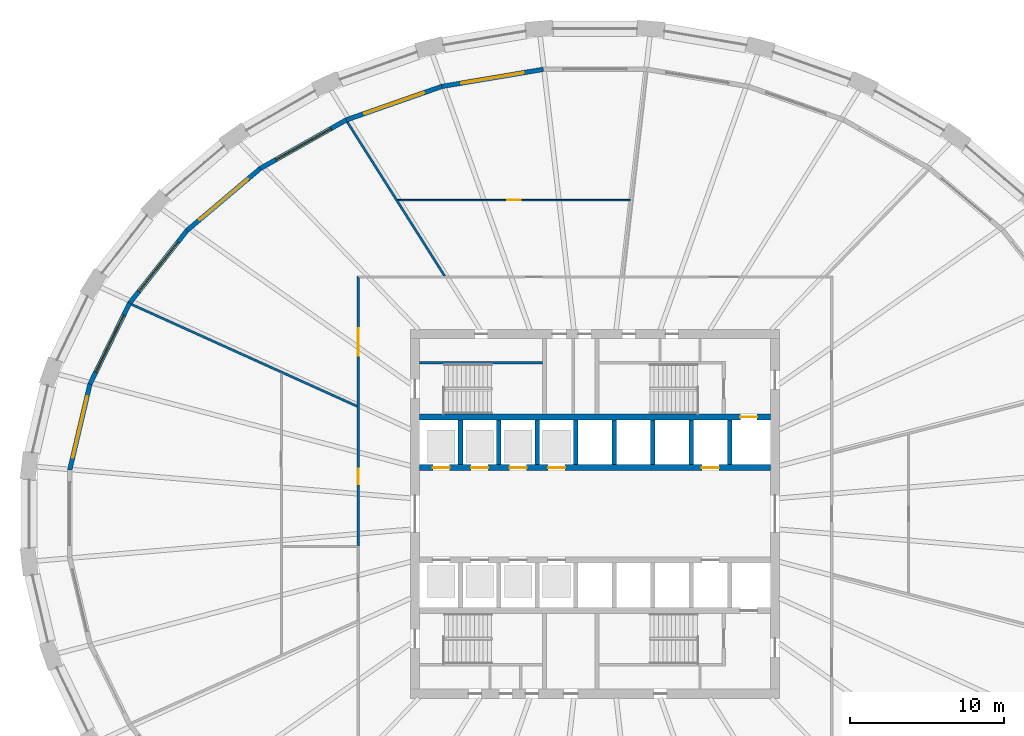
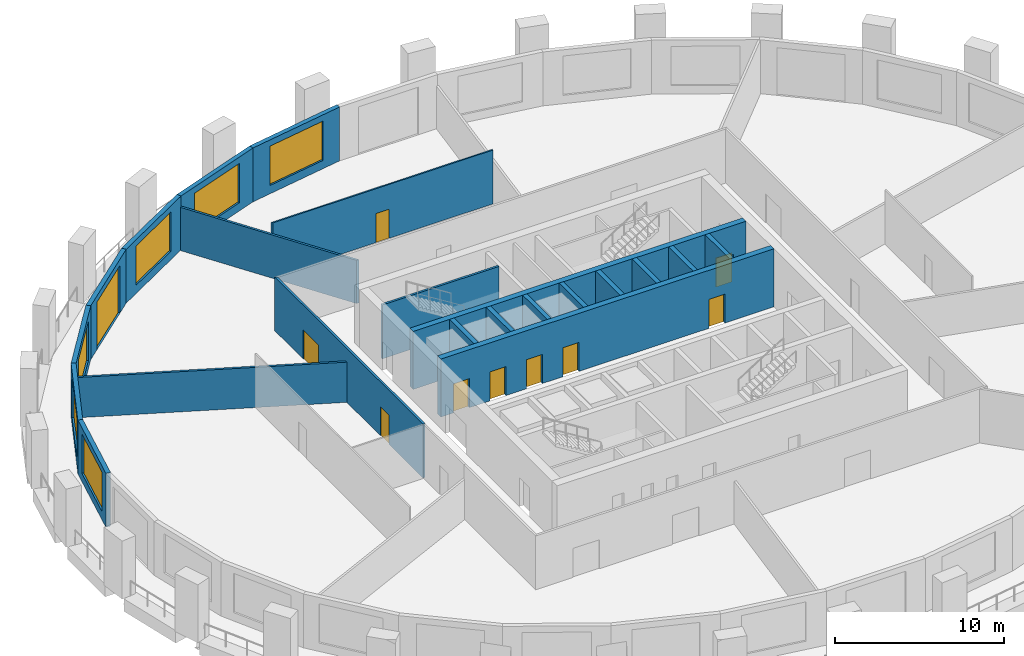
# One storey, part 5 of 10: 22 walls, 10 doors, 6 windows, 16 openings.
"""IFC4 building model written with IfcOpenShell, lengths in metres."""

from ifc_helpers import new_model, si_unit, direction, frame, frame_2d, origin, place, context, subcontext, project, spatial, polyline, rectangle, outline, extrude, material, layer, layer_set, type_object, element, fill, save


model = new_model("IFC4")

# Units and contexts
model_context = context("Model", 3, precision=1e-05, world=origin(), true_north=direction((0.0, 1.0)))
body_context = subcontext(model_context, "Body", "Model", "MODEL_VIEW")
ifc_project = project(units=[si_unit("LENGTHUNIT", "METRE"), si_unit("AREAUNIT", "SQUARE_METRE"), si_unit("VOLUMEUNIT", "CUBIC_METRE"), si_unit("PLANEANGLEUNIT", "RADIAN"), si_unit("MASSUNIT", "GRAM", prefix="KILO")], contexts=[model_context])

# Site, building, storey
site_placement = place(None, origin())
site = spatial("IfcSite", under=ifc_project, at=site_placement, CompositionType="ELEMENT")
building_placement = place(site_placement, origin())
building = spatial("IfcBuilding", under=site, at=building_placement, Name="Halqa Exchange Tower", CompositionType="ELEMENT")
storey_placement = place(building_placement, frame((0.0, 0.0, 65.5)))
storey = spatial("IfcBuildingStorey", under=building, at=storey_placement, Name="L14", CompositionType="ELEMENT", Elevation=65.5)

# Walls
ifc_material_1 = material(Name="Fire-rated gypsum board")
ifc_layer_1 = layer(ifc_material_1, 0.14990234375)
ifc_layer_set_1 = layer_set([ifc_layer_1], Name="Fire-rated gypsum board")
wall_type_1 = type_object("IfcWallType", Name="Fire partition EI 60 150", PredefinedType="PARTITIONING", material=ifc_layer_set_1)
wall_1_placement = place(storey_placement, frame((-30.14111328125, 13.61865234375, 0.0), z_axis=(0.0, 0.0, 1.0), x_axis=(0.911340188741, -0.411654054257, 0.0)))
element("IfcWall", 1, at=wall_1_placement, inside=storey, type_object=wall_type_1, Name="L14-PWL-002", PredefinedType="PARTITIONING", context=body_context, shape_type="SweptSolid", body=[
    extrude(outline(polyline([(0.0, -0.074951171875), (1.795654296875, -0.074951171875), (3.591552734375, -0.074951171875), (5.38720703125, -0.074951171875), (7.182861328125, -0.074951171875), (8.978759765625, -0.074951171875), (10.7744140625, -0.074951171875), (10.777099609375, -0.07373046875), (10.777587890625, -0.074951171875), (12.560546875, -0.074951171875), (14.34375, -0.074951171875), (16.126708984375, -0.074951171875), (16.126708984375, -0.074951171875), (16.05908203125, 0.074951171875), (14.27685546875, 0.074951171875), (12.494873046875, 0.074951171875), (10.712890625, 0.074951171875), (8.9306640625, 0.074951171875), (7.148681640625, 0.074951171875), (5.366455078125, 0.074951171875), (3.58447265625, 0.074951171875), (1.802490234375, 0.074951171875), (0.020263671875, 0.074951171875), (0.001953125, 0.001953125), (0.0, -0.06396484375), (0.0, -0.074951171875)])), origin(), (0.0, 0.0, 1.0), 2.909912109375),
])
wall_2_placement = place(storey_placement, frame((-16.11328125, 25.48193359375, 0.0), z_axis=(0.0, 0.0, 1.0), x_axis=(0.534334526362, -0.845273100209, 0.0)))
element("IfcWall", 2, at=wall_2_placement, inside=storey, type_object=wall_type_1, Name="L14-PWL-005", PredefinedType="PARTITIONING", context=body_context, shape_type="SweptSolid", body=[
    extrude(outline(polyline([(0.0, -0.074951171875), (1.96533203125, -0.074951171875), (3.930419921875, -0.074951171875), (5.895751953125, -0.074951171875), (7.86083984375, -0.074951171875), (9.826171875, -0.074951171875), (11.791259765625, -0.074951171875), (11.885986328125, 0.07470703125), (11.885986328125, 0.074951171875), (9.963623046875, 0.074951171875), (8.041015625, 0.074951171875), (6.11865234375, 0.074951171875), (6.11767578125, 0.0732421875), (6.114990234375, 0.074951171875), (4.59130859375, 0.074951171875), (3.067626953125, 0.074951171875), (1.5439453125, 0.074951171875), (0.020263671875, 0.074951171875), (0.00341796875, 0.00244140625), (0.0, -0.068603515625), (0.0, -0.074951171875)])), origin(), (0.0, 0.0, 1.0), 3.1298828125),
])

# Wall, openings, doors
wall_3_placement = place(storey_placement, frame((-15.39990234375, -2.1201171875, 0.0), z_axis=(0.0, 0.0, 1.0), x_axis=(0.0, 1.0, 0.0)))
wall_3 = element("IfcWall", 3, at=wall_3_placement, inside=storey, type_object=wall_type_1, Name="L14-PWL-009", PredefinedType="PARTITIONING", context=body_context, shape_type="SweptSolid", body=[
    extrude(outline(polyline([(0.0, -0.074951171875), (1.938232421875, -0.074951171875), (3.876708984375, -0.074951171875), (5.81494140625, -0.074951171875), (7.75341796875, -0.074951171875), (9.691650390625, -0.074951171875), (11.630126953125, -0.074951171875), (13.568359375, -0.074951171875), (15.5068359375, -0.074951171875), (17.445068359375, -0.074951171875), (17.594970703125, 0.074951171875), (15.639892578125, 0.074951171875), (13.68505859375, 0.074951171875), (11.72998046875, 0.074951171875), (9.77490234375, 0.074951171875), (7.820068359375, 0.074951171875), (5.864990234375, 0.074951171875), (3.909912109375, 0.074951171875), (1.955078125, 0.074951171875), (0.0, 0.074951171875), (0.0, -0.074951171875)])), origin(), (0.0, 0.0, 1.0), 3.89990234375),
])
opening_1_placement = place(wall_3_placement, frame((12.39990234375, 0.0, 0.0)))
opening_1 = element("IfcOpeningElement", 4, at=opening_1_placement, cuts=wall_3, Name="Opening 04-06", PredefinedType="OPENING", context=body_context, shape_type="SweptSolid", body=[
    extrude(rectangle(XDim=1.800048828125, YDim=2.10009765625, at=frame_2d((0.89990234375, 1.050048828125))), frame((0.0, 0.0869140625, 0.0), z_axis=(0.0, -1.0, 0.0), x_axis=(1.0, 0.0, 0.0)), (0.0, 0.0, 1.0), 0.173828125),
])
opening_2_placement = place(wall_3_placement, frame((4.0400390625, 0.0, 0.0)))
opening_2 = element("IfcOpeningElement", 5, at=opening_2_placement, cuts=wall_3, Name="Opening 04-08", PredefinedType="OPENING", context=body_context, shape_type="SweptSolid", body=[
    extrude(rectangle(XDim=1.0, YDim=2.10009765625, at=frame_2d((0.5, 1.050048828125))), frame((0.0, 0.0869140625, 0.0), z_axis=(0.0, -1.0, 0.0), x_axis=(1.0, 0.0, 0.0)), (0.0, 0.0, 1.0), 0.173828125),
])
ifc_material_2 = material(Name="Steel fire door leaf", Category="steel")
door_type_1 = type_object("IfcDoorType", Name="Fire door FD30S 1000 x 2100", OperationType="SINGLE_SWING_LEFT", PredefinedType="DOOR", material=ifc_material_2)
door_1_placement = place(opening_2_placement, origin())
door_1 = element("IfcDoor", 6, at=door_1_placement, inside=storey, type_object=door_type_1, Name="L14-IDR-008", OperationType="SINGLE_SWING_LEFT", OverallHeight=2.10009765625, OverallWidth=1.0, PredefinedType="DOOR", context=body_context, shape_type="SweptSolid", body=[
    extrude(rectangle(XDim=1.0, YDim=2.10009765625, at=frame_2d((0.5, 1.050048828125))), frame((0.0, 0.02490234375, 0.0), z_axis=(0.0, -1.0, 0.0), x_axis=(1.0, 0.0, 0.0)), (0.0, 0.0, 1.0), 0.050048828125),
])
fill(opening_2, door_1)
door_type_2 = type_object("IfcDoorType", Name="Fire door FD30S double 1800 x 2100", OperationType="DOUBLE_DOOR_SINGLE_SWING", PredefinedType="DOOR", material=ifc_material_2)
door_2_placement = place(opening_1_placement, origin())
door_2 = element("IfcDoor", 7, at=door_2_placement, inside=storey, type_object=door_type_2, Name="L14-IDR-006", OperationType="DOUBLE_DOOR_SINGLE_SWING", OverallHeight=2.10009765625, OverallWidth=1.800048828125, PredefinedType="DOOR", context=body_context, shape_type="SweptSolid", body=[
    extrude(rectangle(XDim=1.800048828125, YDim=2.10009765625, at=frame_2d((0.89990234375, 1.050048828125))), frame((0.0, 0.02490234375, 0.0), z_axis=(0.0, -1.0, 0.0), x_axis=(1.0, 0.0, 0.0)), (0.0, 0.0, 1.0), 0.050048828125),
])
fill(opening_1, door_2)

# Wall, opening, door
ifc_material_3 = material(Name="Gypsum board")
ifc_layer_2 = layer(ifc_material_3, 0.10009765625)
ifc_layer_set_2 = layer_set([ifc_layer_2], Name="Gypsum board")
wall_type_2 = type_object("IfcWallType", Name="Partition 100 gypsum", PredefinedType="PARTITIONING", material=ifc_layer_set_2)
wall_4_placement = place(storey_placement, frame((-12.843017578125, 20.39990234375, 0.0), z_axis=(0.0, 0.0, 1.0), x_axis=(1.0, 0.0, 0.0)))
wall_4 = element("IfcWall", 8, at=wall_4_placement, inside=storey, type_object=wall_type_2, Name="L14-PWL-011", PredefinedType="PARTITIONING", context=body_context, shape_type="SweptSolid", body=[
    extrude(outline(polyline([(0.062744140625, -0.050048828125), (1.946533203125, -0.050048828125), (3.83056640625, -0.050048828125), (5.71435546875, -0.050048828125), (7.598388671875, -0.050048828125), (9.482177734375, -0.050048828125), (11.3662109375, -0.050048828125), (13.25, -0.050048828125), (15.134033203125, -0.050048828125), (15.1455078125, 0.048583984375), (15.1455078125, 0.050048828125), (13.25244140625, 0.050048828125), (11.359130859375, 0.050048828125), (9.4658203125, 0.050048828125), (7.57275390625, 0.050048828125), (5.6796875, 0.050048828125), (3.786376953125, 0.050048828125), (1.89306640625, 0.050048828125), (0.0, 0.050048828125), (0.0, 0.04931640625), (0.062744140625, -0.050048828125)])), origin(), (0.0, 0.0, 1.0), 3.89990234375),
])
opening_3_placement = place(wall_4_placement, frame((7.1279296875, 0.0, 0.0)))
opening_3 = element("IfcOpeningElement", 9, at=opening_3_placement, cuts=wall_4, Name="Opening 04-13", PredefinedType="OPENING", context=body_context, shape_type="SweptSolid", body=[
    extrude(rectangle(XDim=0.89990234375, YDim=2.10009765625, at=frame_2d((0.449951171875, 1.050048828125))), frame((0.0, 0.06201171875, 0.0), z_axis=(0.0, -1.0, 0.0), x_axis=(1.0, 0.0, 0.0)), (0.0, 0.0, 1.0), 0.1240234375),
])
ifc_material_4 = material(Name="Timber door leaf", Category="wood")
door_type_3 = type_object("IfcDoorType", Name="Door 900 x 2100", OperationType="SINGLE_SWING_LEFT", PredefinedType="DOOR", material=ifc_material_4)
door_3_placement = place(opening_3_placement, frame((0.89990234375, 0.0, 0.0), z_axis=(0.0, 0.0, 1.0), x_axis=(-1.0, 0.0, 0.0)))
door_3 = element("IfcDoor", 10, at=door_3_placement, inside=storey, type_object=door_type_3, Name="L14-IDR-013", OperationType="SINGLE_SWING_LEFT", OverallHeight=2.10009765625, OverallWidth=0.89990234375, PredefinedType="DOOR", context=body_context, shape_type="SweptSolid", body=[
    extrude(rectangle(XDim=0.89990234375, YDim=2.10009765625, at=frame_2d((0.449951171875, 1.050048828125))), frame((0.0, 0.02490234375, 0.0), z_axis=(0.0, -1.0, 0.0), x_axis=(1.0, 0.0, 0.0)), (0.0, 0.0, 1.0), 0.050048828125),
])
fill(opening_3, door_3)

# Walls
ifc_material_5 = material(Name="Concrete C60/75", Category="concrete")
ifc_layer_3 = layer(ifc_material_5, 0.300048828125)
ifc_layer_set_3 = layer_set([ifc_layer_3], Name="Concrete C60/75")
wall_type_3 = type_object("IfcWallType", Name="RC core wall 300", PredefinedType="SHEAR", material=ifc_layer_set_3)
for number, where, z_axis, x_axis, name in (
    (11, (-8.75, 3.199951171875, 0.0), (0.0, 0.0, 1.0), (0.0, 1.0, 0.0), "Shaft divider N1"),
    (12, (-6.25, 3.199951171875, 0.0), (0.0, 0.0, 1.0), (0.0, 1.0, 0.0), "Shaft divider N2"),
    (13, (-3.75, 3.199951171875, 0.0), (0.0, 0.0, 1.0), (0.0, 1.0, 0.0), "Shaft divider N3"),
    (14, (-1.25, 3.199951171875, 0.0), (0.0, 0.0, 1.0), (0.0, 1.0, 0.0), "Shaft divider N4"),
    (15, (1.25, 3.199951171875, 0.0), (0.0, 0.0, 1.0), (0.0, 1.0, 0.0), "Shaft divider N5"),
    (16, (3.75, 3.199951171875, 0.0), (0.0, 0.0, 1.0), (0.0, 1.0, 0.0), "Shaft divider N6"),
    (17, (6.25, 3.199951171875, 0.0), (0.0, 0.0, 1.0), (0.0, 1.0, 0.0), "Shaft divider N7"),
    (18, (8.75, 3.199951171875, 0.0), (0.0, 0.0, 1.0), (0.0, 1.0, 0.0), "Shaft divider N8"),
):
    element("IfcWall", number, at=place(storey_placement, frame(where, z_axis=z_axis, x_axis=x_axis)), inside=storey, type_object=wall_type_3, Name=name, PredefinedType="SHEAR", context=body_context, shape_type="SweptSolid", body=[
        extrude(rectangle(XDim=2.900146484375, YDim=0.300048828125, at=frame_2d((1.4501953125, 0.0))), origin(), (0.0, 0.0, 1.0), 4.199951171875),
    ])

# Wall, openings, doors
ifc_material_6 = material(Name="Concrete C80/95", Category="concrete")
ifc_layer_4 = layer(ifc_material_6, 0.39990234375)
ifc_layer_set_4 = layer_set([ifc_layer_4], Name="Concrete C80/95")
wall_type_4 = type_object("IfcWallType", Name="RC core wall 400 C80/95", PredefinedType="SHEAR", material=ifc_layer_set_4)
wall_5_placement = place(storey_placement, frame((-11.39990234375, 3.0, 0.0), z_axis=(0.0, 0.0, 1.0), x_axis=(1.0, 0.0, 0.0)))
wall_5 = element("IfcWall", 19, at=wall_5_placement, inside=storey, type_object=wall_type_4, Name="Lift row front wall N", PredefinedType="SHEAR", context=body_context, shape_type="SweptSolid", body=[
    extrude(rectangle(XDim=22.7998046875, YDim=0.39990234375, at=frame_2d((11.39990234375, 0.0))), origin(), (0.0, 0.0, 1.0), 4.199951171875),
])
opening_4_placement = place(wall_5_placement, frame((0.85009765625, 0.0, 0.0)))
opening_4 = element("IfcOpeningElement", 20, at=opening_4_placement, cuts=wall_5, Name="Opening LD-LR1-T04", PredefinedType="OPENING", context=body_context, shape_type="SweptSolid", body=[
    extrude(rectangle(XDim=1.10009765625, YDim=2.10009765625, at=frame_2d((0.550048828125, 1.050048828125))), frame((0.0, 0.2119140625, 0.0), z_axis=(0.0, -1.0, 0.0), x_axis=(1.0, 0.0, 0.0)), (0.0, 0.0, 1.0), 0.423828125),
])
opening_5_placement = place(wall_5_placement, frame((3.35009765625, 0.0, 0.0)))
opening_5 = element("IfcOpeningElement", 21, at=opening_5_placement, cuts=wall_5, Name="Opening LD-LR2-T04", PredefinedType="OPENING", context=body_context, shape_type="SweptSolid", body=[
    extrude(rectangle(XDim=1.10009765625, YDim=2.10009765625, at=frame_2d((0.550048828125, 1.050048828125))), frame((0.0, 0.2119140625, 0.0), z_axis=(0.0, -1.0, 0.0), x_axis=(1.0, 0.0, 0.0)), (0.0, 0.0, 1.0), 0.423828125),
])
opening_6_placement = place(wall_5_placement, frame((5.85009765625, 0.0, 0.0)))
opening_6 = element("IfcOpeningElement", 22, at=opening_6_placement, cuts=wall_5, Name="Opening LD-LR3-T04", PredefinedType="OPENING", context=body_context, shape_type="SweptSolid", body=[
    extrude(rectangle(XDim=1.10009765625, YDim=2.10009765625, at=frame_2d((0.550048828125, 1.050048828125))), frame((0.0, 0.2119140625, 0.0), z_axis=(0.0, -1.0, 0.0), x_axis=(1.0, 0.0, 0.0)), (0.0, 0.0, 1.0), 0.423828125),
])
opening_7_placement = place(wall_5_placement, frame((8.35009765625, 0.0, 0.0)))
opening_7 = element("IfcOpeningElement", 23, at=opening_7_placement, cuts=wall_5, Name="Opening LD-LR4-T04", PredefinedType="OPENING", context=body_context, shape_type="SweptSolid", body=[
    extrude(rectangle(XDim=1.10009765625, YDim=2.10009765625, at=frame_2d((0.550048828125, 1.050048828125))), frame((0.0, 0.2119140625, 0.0), z_axis=(0.0, -1.0, 0.0), x_axis=(1.0, 0.0, 0.0)), (0.0, 0.0, 1.0), 0.423828125),
])
opening_8_placement = place(wall_5_placement, frame((18.35009765625, 0.0, 0.0)))
opening_8 = element("IfcOpeningElement", 24, at=opening_8_placement, cuts=wall_5, Name="Opening LD-SV1-T04", PredefinedType="OPENING", context=body_context, shape_type="SweptSolid", body=[
    extrude(rectangle(XDim=1.10009765625, YDim=2.10009765625, at=frame_2d((0.550048828125, 1.050048828125))), frame((0.0, 0.2119140625, 0.0), z_axis=(0.0, -1.0, 0.0), x_axis=(1.0, 0.0, 0.0)), (0.0, 0.0, 1.0), 0.423828125),
])
ifc_material_7 = material(Name="Stainless steel", Category="steel")
door_type_4 = type_object("IfcDoorType", Name="Lift landing door 1100 x 2100", OperationType="SLIDING_TO_LEFT", PredefinedType="DOOR", material=ifc_material_7)
door_4_placement = place(opening_4_placement, origin())
door_4 = element("IfcDoor", 25, at=door_4_placement, inside=storey, type_object=door_type_4, Name="Lift landing door LR1", OperationType="SLIDING_TO_LEFT", OverallHeight=2.10009765625, OverallWidth=1.10009765625, PredefinedType="DOOR", context=body_context, shape_type="SweptSolid", body=[
    extrude(rectangle(XDim=1.10009765625, YDim=2.10009765625, at=frame_2d((0.550048828125, 1.050048828125))), frame((0.0, 0.02490234375, 0.0), z_axis=(0.0, -1.0, 0.0), x_axis=(1.0, 0.0, 0.0)), (0.0, 0.0, 1.0), 0.050048828125),
])
fill(opening_4, door_4)
door_5_placement = place(opening_5_placement, origin())
door_5 = element("IfcDoor", 26, at=door_5_placement, inside=storey, type_object=door_type_4, Name="Lift landing door LR2", OperationType="SLIDING_TO_LEFT", OverallHeight=2.10009765625, OverallWidth=1.10009765625, PredefinedType="DOOR", context=body_context, shape_type="SweptSolid", body=[
    extrude(rectangle(XDim=1.10009765625, YDim=2.10009765625, at=frame_2d((0.550048828125, 1.050048828125))), frame((0.0, 0.02490234375, 0.0), z_axis=(0.0, -1.0, 0.0), x_axis=(1.0, 0.0, 0.0)), (0.0, 0.0, 1.0), 0.050048828125),
])
fill(opening_5, door_5)
door_6_placement = place(opening_6_placement, origin())
door_6 = element("IfcDoor", 27, at=door_6_placement, inside=storey, type_object=door_type_4, Name="Lift landing door LR3", OperationType="SLIDING_TO_LEFT", OverallHeight=2.10009765625, OverallWidth=1.10009765625, PredefinedType="DOOR", context=body_context, shape_type="SweptSolid", body=[
    extrude(rectangle(XDim=1.10009765625, YDim=2.10009765625, at=frame_2d((0.550048828125, 1.050048828125))), frame((0.0, 0.02490234375, 0.0), z_axis=(0.0, -1.0, 0.0), x_axis=(1.0, 0.0, 0.0)), (0.0, 0.0, 1.0), 0.050048828125),
])
fill(opening_6, door_6)
door_7_placement = place(opening_7_placement, origin())
door_7 = element("IfcDoor", 28, at=door_7_placement, inside=storey, type_object=door_type_4, Name="Lift landing door LR4", OperationType="SLIDING_TO_LEFT", OverallHeight=2.10009765625, OverallWidth=1.10009765625, PredefinedType="DOOR", context=body_context, shape_type="SweptSolid", body=[
    extrude(rectangle(XDim=1.10009765625, YDim=2.10009765625, at=frame_2d((0.550048828125, 1.050048828125))), frame((0.0, 0.02490234375, 0.0), z_axis=(0.0, -1.0, 0.0), x_axis=(1.0, 0.0, 0.0)), (0.0, 0.0, 1.0), 0.050048828125),
])
fill(opening_7, door_7)
door_8_placement = place(opening_8_placement, origin())
door_8 = element("IfcDoor", 29, at=door_8_placement, inside=storey, type_object=door_type_4, Name="Lift landing door SV1", OperationType="SLIDING_TO_LEFT", OverallHeight=2.10009765625, OverallWidth=1.10009765625, PredefinedType="DOOR", context=body_context, shape_type="SweptSolid", body=[
    extrude(rectangle(XDim=1.10009765625, YDim=2.10009765625, at=frame_2d((0.550048828125, 1.050048828125))), frame((0.0, 0.02490234375, 0.0), z_axis=(0.0, -1.0, 0.0), x_axis=(1.0, 0.0, 0.0)), (0.0, 0.0, 1.0), 0.050048828125),
])
fill(opening_8, door_8)

# Wall, opening, door
wall_6_placement = place(storey_placement, frame((-11.39990234375, 6.300048828125, 0.0), z_axis=(0.0, 0.0, 1.0), x_axis=(1.0, 0.0, 0.0)))
wall_6 = element("IfcWall", 30, at=wall_6_placement, inside=storey, type_object=wall_type_4, Name="Lift row back wall N", PredefinedType="SHEAR", context=body_context, shape_type="SweptSolid", body=[
    extrude(rectangle(XDim=22.7998046875, YDim=0.39990234375, at=frame_2d((11.39990234375, 0.0))), origin(), (0.0, 0.0, 1.0), 4.199951171875),
])
opening_9_placement = place(wall_6_placement, frame((20.85009765625, 0.0, 0.0)))
opening_9 = element("IfcOpeningElement", 31, at=opening_9_placement, cuts=wall_6, Name="Opening LD-FF1-T04", PredefinedType="OPENING", context=body_context, shape_type="SweptSolid", body=[
    extrude(rectangle(XDim=1.10009765625, YDim=2.10009765625, at=frame_2d((0.550048828125, 1.050048828125))), frame((0.0, 0.2119140625, 0.0), z_axis=(0.0, -1.0, 0.0), x_axis=(1.0, 0.0, 0.0)), (0.0, 0.0, 1.0), 0.423828125),
])
door_9_placement = place(opening_9_placement, origin())
door_9 = element("IfcDoor", 32, at=door_9_placement, inside=storey, type_object=door_type_4, Name="Lift landing door FF1", OperationType="SLIDING_TO_LEFT", OverallHeight=2.10009765625, OverallWidth=1.10009765625, PredefinedType="DOOR", context=body_context, shape_type="SweptSolid", body=[
    extrude(rectangle(XDim=1.10009765625, YDim=2.10009765625, at=frame_2d((0.550048828125, 1.050048828125))), frame((0.0, 0.02490234375, 0.0), z_axis=(0.0, -1.0, 0.0), x_axis=(1.0, 0.0, 0.0)), (0.0, 0.0, 1.0), 0.050048828125),
])
fill(opening_9, door_9)

# Wall
ifc_material_8 = material(Name="Concrete C30/37", Category="concrete")
ifc_layer_5 = layer(ifc_material_8, 0.14990234375)
ifc_layer_set_5 = layer_set([ifc_layer_5], Name="Concrete C30/37")
wall_type_5 = type_object("IfcWallType", Name="RC stair wall 150 C30/37", PredefinedType="SHEAR", material=ifc_layer_set_5)
wall_7_placement = place(storey_placement, frame((-11.39990234375, 9.824951171875, 0.0), z_axis=(0.0, 0.0, 1.0), x_axis=(1.0, 0.0, 0.0)))
element("IfcWall", 33, at=wall_7_placement, inside=storey, type_object=wall_type_5, Name="Stair ST1 north wall N", PredefinedType="SHEAR", context=body_context, shape_type="SweptSolid", body=[
    extrude(rectangle(XDim=8.0, YDim=0.14990234375, at=frame_2d((4.0, 0.0))), origin(), (0.0, 0.0, 1.0), 3.89990234375),
])

# Wall, opening, window
ifc_material_9 = material(Name="Limestone cladding", Category="masonry")
ifc_layer_6 = layer(ifc_material_9, 0.0400390625)
ifc_material_10 = material(Name="Ventilated cavity")
ifc_layer_7 = layer(ifc_material_10, 0.030029296875, ventilated=True)
ifc_material_11 = material(Name="Mineral wool insulation")
ifc_layer_8 = layer(ifc_material_11, 0.10009765625)
ifc_layer_9 = layer(ifc_material_8, 0.10009765625)
ifc_material_12 = material(Name="Internal plaster")
ifc_layer_10 = layer(ifc_material_12, 0.030029296875)
ifc_layer_set_6 = layer_set([ifc_layer_6, ifc_layer_7, ifc_layer_8, ifc_layer_9, ifc_layer_10], Name="Stone-faced insulated wall 300")
wall_type_6 = type_object("IfcWallType", Name="Stone-faced insulated wall 300", PredefinedType="STANDARD", material=ifc_layer_set_6)
wall_8_placement = place(storey_placement, frame((-3.362060546875, 28.902587890625, 0.0), z_axis=(0.0, 0.0, 1.0), x_axis=(-0.986153133093, -0.165837263877, 0.0)))
wall_8 = element("IfcWall", 34, at=wall_8_placement, inside=storey, type_object=wall_type_6, Name="Glass-line wall 9", PredefinedType="STANDARD", context=body_context, shape_type="SweptSolid", body=[
    extrude(outline(polyline([(-0.012451171875, -0.14990234375), (6.70068359375, -0.14990234375), (6.67529296875, 0.14990234375), (0.012451171875, 0.14990234375), (-0.012451171875, -0.14990234375)])), origin(), (0.0, 0.0, 1.0), 3.89990234375),
])
opening_10_placement = place(wall_8_placement, frame((1.294189453125, 0.0, 0.60009765625)))
opening_10 = element("IfcOpeningElement", 35, at=opening_10_placement, cuts=wall_8, Name="Opening W-F1-09", PredefinedType="OPENING", context=body_context, shape_type="SweptSolid", body=[
    extrude(rectangle(XDim=4.10009765625, YDim=2.85009765625, at=frame_2d((2.050048828125, 1.425048828125))), frame((0.0, 0.162109375, 0.0), z_axis=(0.0, -1.0, 0.0), x_axis=(1.0, 0.0, 0.0)), (0.0, 0.0, 1.0), 0.323974609375),
])
ifc_material_13 = material(Name="Clear low-emissivity glass in aluminium frame", Category="aluminium")
window_type = type_object("IfcWindowType", Name="Fixed clear glazed window 4100 x 2850", PartitioningType="TRIPLE_PANEL_VERTICAL", PredefinedType="WINDOW", material=ifc_material_13)
window_1_placement = place(opening_10_placement, origin())
window_1 = element("IfcWindow", 36, at=window_1_placement, inside=storey, type_object=window_type, Name="Window 1", OverallHeight=2.85009765625, OverallWidth=4.10009765625, PartitioningType="TRIPLE_PANEL_VERTICAL", PredefinedType="WINDOW", context=body_context, shape_type="SweptSolid", body=[
    extrude(rectangle(XDim=4.10009765625, YDim=2.85009765625, at=frame_2d((2.050048828125, 1.425048828125))), frame((0.0, 0.030029296875, 0.0), z_axis=(0.0, -1.0, 0.0), x_axis=(1.0, 0.0, 0.0)), (0.0, 0.0, 1.0), 0.06005859375),
])
fill(opening_10, window_1)

wall_9_placement = place(storey_placement, frame((-9.95751953125, 27.79345703125, 0.0), z_axis=(0.0, 0.0, 1.0), x_axis=(-0.94380689486, -0.330497420889, 0.0)))
wall_9 = element("IfcWall", 37, at=wall_9_placement, inside=storey, type_object=wall_type_6, Name="Glass-line wall 10", PredefinedType="STANDARD", context=body_context, shape_type="SweptSolid", body=[
    extrude(outline(polyline([(-0.0126953125, -0.14990234375), (6.597412109375, -0.14990234375), (6.570556640625, 0.14990234375), (0.0126953125, 0.14990234375), (-0.0126953125, -0.14990234375)])), origin(), (0.0, 0.0, 1.0), 3.89990234375),
])
opening_11_placement = place(wall_9_placement, frame((1.241943359375, 0.0, 0.60009765625)))
opening_11 = element("IfcOpeningElement", 38, at=opening_11_placement, cuts=wall_9, Name="Opening W-F1-10", PredefinedType="OPENING", context=body_context, shape_type="SweptSolid", body=[
    extrude(rectangle(XDim=4.10009765625, YDim=2.85009765625, at=frame_2d((2.050048828125, 1.425048828125))), frame((0.0, 0.162109375, 0.0), z_axis=(0.0, -1.0, 0.0), x_axis=(1.0, 0.0, 0.0)), (0.0, 0.0, 1.0), 0.323974609375),
])
window_2_placement = place(opening_11_placement, origin())
window_2 = element("IfcWindow", 39, at=window_2_placement, inside=storey, type_object=window_type, Name="Window 1", OverallHeight=2.85009765625, OverallWidth=4.10009765625, PartitioningType="TRIPLE_PANEL_VERTICAL", PredefinedType="WINDOW", context=body_context, shape_type="SweptSolid", body=[
    extrude(rectangle(XDim=4.10009765625, YDim=2.85009765625, at=frame_2d((2.050048828125, 1.425048828125))), frame((0.0, 0.030029296875, 0.0), z_axis=(0.0, -1.0, 0.0), x_axis=(1.0, 0.0, 0.0)), (0.0, 0.0, 1.0), 0.06005859375),
])
fill(opening_11, window_2)

wall_10_placement = place(storey_placement, frame((-16.171630859375, 25.617431640625, 0.0), z_axis=(0.0, 0.0, 1.0), x_axis=(-0.870673928577, -0.491860661262, 0.0)))
wall_10 = element("IfcWall", 40, at=wall_10_placement, inside=storey, type_object=wall_type_6, Name="Glass-line wall 11", PredefinedType="STANDARD", context=body_context, shape_type="SweptSolid", body=[
    extrude(outline(polyline([(-0.013427734375, -0.14990234375), (6.43896484375, -0.14990234375), (6.41064453125, 0.14990234375), (0.013427734375, 0.14990234375), (-0.013427734375, -0.14990234375)])), origin(), (0.0, 0.0, 1.0), 3.89990234375),
])
opening_12_placement = place(wall_10_placement, frame((1.16259765625, 0.0, 0.60009765625)))
opening_12 = element("IfcOpeningElement", 41, at=opening_12_placement, cuts=wall_10, Name="Opening W-F1-11", PredefinedType="OPENING", context=body_context, shape_type="SweptSolid", body=[
    extrude(rectangle(XDim=4.10009765625, YDim=2.85009765625, at=frame_2d((2.050048828125, 1.425048828125))), frame((0.0, 0.162109375, 0.0), z_axis=(0.0, -1.0, 0.0), x_axis=(1.0, 0.0, 0.0)), (0.0, 0.0, 1.0), 0.323974609375),
])
window_3_placement = place(opening_12_placement, origin())
window_3 = element("IfcWindow", 42, at=window_3_placement, inside=storey, type_object=window_type, Name="Window 1", OverallHeight=2.85009765625, OverallWidth=4.10009765625, PartitioningType="TRIPLE_PANEL_VERTICAL", PredefinedType="WINDOW", context=body_context, shape_type="SweptSolid", body=[
    extrude(rectangle(XDim=4.10009765625, YDim=2.85009765625, at=frame_2d((2.050048828125, 1.425048828125))), frame((0.0, 0.030029296875, 0.0), z_axis=(0.0, -1.0, 0.0), x_axis=(1.0, 0.0, 0.0)), (0.0, 0.0, 1.0), 0.06005859375),
])
fill(opening_12, window_3)

# Wall, opening, door
wall_11_placement = place(storey_placement, frame((-21.765625, 22.457275390625, 0.0), z_axis=(0.0, 0.0, 1.0), x_axis=(-0.763655167989, -0.645624336905, 0.0)))
wall_11 = element("IfcWall", 43, at=wall_11_placement, inside=storey, type_object=wall_type_6, Name="Glass-line wall 12", PredefinedType="STANDARD", context=body_context, shape_type="SweptSolid", body=[
    extrude(outline(polyline([(-0.01416015625, -0.14990234375), (6.247314453125, -0.14990234375), (6.217041015625, 0.14990234375), (0.01416015625, 0.14990234375), (-0.01416015625, -0.14990234375)])), origin(), (0.0, 0.0, 1.0), 3.89990234375),
])
opening_13_placement = place(wall_11_placement, frame((1.066162109375, 0.0, 0.0)))
opening_13 = element("IfcOpeningElement", 44, at=opening_13_placement, cuts=wall_11, Name="Opening LG-F1-03", PredefinedType="OPENING", context=body_context, shape_type="SweptSolid", body=[
    extrude(rectangle(XDim=4.10009765625, YDim=3.449951171875, at=frame_2d((2.050048828125, 1.72509765625))), frame((0.0, 0.162109375, 0.0), z_axis=(0.0, -1.0, 0.0), x_axis=(1.0, 0.0, 0.0)), (0.0, 0.0, 1.0), 0.323974609375),
])
door_type_5 = type_object("IfcDoorType", Name="Glazed sliding loggia door 4100 x 3450", OperationType="DOUBLE_DOOR_SLIDING", PredefinedType="DOOR", material=ifc_material_13)
door_10_placement = place(opening_13_placement, origin())
door_10 = element("IfcDoor", 45, at=door_10_placement, inside=storey, type_object=door_type_5, Name="Loggia door 3", OperationType="DOUBLE_DOOR_SLIDING", OverallHeight=3.449951171875, OverallWidth=4.10009765625, PredefinedType="DOOR", context=body_context, shape_type="SweptSolid", body=[
    extrude(rectangle(XDim=4.10009765625, YDim=3.449951171875, at=frame_2d((2.050048828125, 1.72509765625))), frame((0.0, 0.02490234375, 0.0), z_axis=(0.0, -1.0, 0.0), x_axis=(1.0, 0.0, 0.0)), (0.0, 0.0, 1.0), 0.050048828125),
])
fill(opening_13, door_10)

# Wall, opening, window
wall_12_placement = place(storey_placement, frame((-26.52490234375, 18.43359375, 0.0), z_axis=(0.0, 0.0, 1.0), x_axis=(-0.620065339223, -0.784550173727, 0.0)))
wall_12 = element("IfcWall", 46, at=wall_12_placement, inside=storey, type_object=wall_type_6, Name="Glass-line wall 13", PredefinedType="STANDARD", context=body_context, shape_type="SweptSolid", body=[
    extrude(outline(polyline([(-0.01513671875, -0.14990234375), (6.0498046875, -0.14990234375), (6.017578125, 0.14990234375), (0.01513671875, 0.14990234375), (-0.01513671875, -0.14990234375)])), origin(), (0.0, 0.0, 1.0), 3.89990234375),
])
opening_14_placement = place(wall_12_placement, frame((0.966796875, 0.0, 0.60009765625)))
opening_14 = element("IfcOpeningElement", 47, at=opening_14_placement, cuts=wall_12, Name="Opening W-F1-13", PredefinedType="OPENING", context=body_context, shape_type="SweptSolid", body=[
    extrude(rectangle(XDim=4.10009765625, YDim=2.85009765625, at=frame_2d((2.050048828125, 1.425048828125))), frame((0.0, 0.162109375, 0.0), z_axis=(0.0, -1.0, 0.0), x_axis=(1.0, 0.0, 0.0)), (0.0, 0.0, 1.0), 0.323974609375),
])
window_4_placement = place(opening_14_placement, origin())
window_4 = element("IfcWindow", 48, at=window_4_placement, inside=storey, type_object=window_type, Name="Window 1", OverallHeight=2.85009765625, OverallWidth=4.10009765625, PartitioningType="TRIPLE_PANEL_VERTICAL", PredefinedType="WINDOW", context=body_context, shape_type="SweptSolid", body=[
    extrude(rectangle(XDim=4.10009765625, YDim=2.85009765625, at=frame_2d((2.050048828125, 1.425048828125))), frame((0.0, 0.030029296875, 0.0), z_axis=(0.0, -1.0, 0.0), x_axis=(1.0, 0.0, 0.0)), (0.0, 0.0, 1.0), 0.06005859375),
])
fill(opening_14, window_4)

wall_13_placement = place(storey_placement, frame((-30.26611328125, 13.699951171875, 0.0), z_axis=(0.0, 0.0, 1.0), x_axis=(-0.439949735177, -0.898022399786, 0.0)))
wall_13 = element("IfcWall", 49, at=wall_13_placement, inside=storey, type_object=wall_type_6, Name="Glass-line wall 14", PredefinedType="STANDARD", context=body_context, shape_type="SweptSolid", body=[
    extrude(outline(polyline([(-0.01611328125, -0.14990234375), (5.876953125, -0.14990234375), (5.84326171875, 0.14990234375), (0.01611328125, 0.14990234375), (-0.01611328125, -0.14990234375)])), origin(), (0.0, 0.0, 1.0), 3.89990234375),
])
opening_15_placement = place(wall_13_placement, frame((0.8798828125, 0.0, 0.60009765625)))
opening_15 = element("IfcOpeningElement", 50, at=opening_15_placement, cuts=wall_13, Name="Opening W-F1-14", PredefinedType="OPENING", context=body_context, shape_type="SweptSolid", body=[
    extrude(rectangle(XDim=4.10009765625, YDim=2.85009765625, at=frame_2d((2.050048828125, 1.425048828125))), frame((0.0, 0.162109375, 0.0), z_axis=(0.0, -1.0, 0.0), x_axis=(1.0, 0.0, 0.0)), (0.0, 0.0, 1.0), 0.323974609375),
])
window_5_placement = place(opening_15_placement, origin())
window_5 = element("IfcWindow", 51, at=window_5_placement, inside=storey, type_object=window_type, Name="Window 1", OverallHeight=2.85009765625, OverallWidth=4.10009765625, PartitioningType="TRIPLE_PANEL_VERTICAL", PredefinedType="WINDOW", context=body_context, shape_type="SweptSolid", body=[
    extrude(rectangle(XDim=4.10009765625, YDim=2.85009765625, at=frame_2d((2.050048828125, 1.425048828125))), frame((0.0, 0.030029296875, 0.0), z_axis=(0.0, -1.0, 0.0), x_axis=(1.0, 0.0, 0.0)), (0.0, 0.0, 1.0), 0.06005859375),
])
fill(opening_15, window_5)

wall_14_placement = place(storey_placement, frame((-32.84423828125, 8.4375, 0.0), z_axis=(0.0, 0.0, 1.0), x_axis=(-0.22905355604, -0.973413821797, 0.0)))
wall_14 = element("IfcWall", 52, at=wall_14_placement, inside=storey, type_object=wall_type_6, Name="Glass-line wall 15", PredefinedType="STANDARD", context=body_context, shape_type="SweptSolid", body=[
    extrude(outline(polyline([(-0.016845703125, -0.14990234375), (5.758056640625, -0.14990234375), (5.723388671875, 0.14990234375), (0.016845703125, 0.14990234375), (-0.016845703125, -0.14990234375)])), origin(), (0.0, 0.0, 1.0), 3.89990234375),
])
opening_16_placement = place(wall_14_placement, frame((0.8203125, 0.0, 0.60009765625)))
opening_16 = element("IfcOpeningElement", 53, at=opening_16_placement, cuts=wall_14, Name="Opening W-F1-15", PredefinedType="OPENING", context=body_context, shape_type="SweptSolid", body=[
    extrude(rectangle(XDim=4.10009765625, YDim=2.85009765625, at=frame_2d((2.050048828125, 1.425048828125))), frame((0.0, 0.162109375, 0.0), z_axis=(0.0, -1.0, 0.0), x_axis=(1.0, 0.0, 0.0)), (0.0, 0.0, 1.0), 0.323974609375),
])
window_6_placement = place(opening_16_placement, origin())
window_6 = element("IfcWindow", 54, at=window_6_placement, inside=storey, type_object=window_type, Name="Window 1", OverallHeight=2.85009765625, OverallWidth=4.10009765625, PartitioningType="TRIPLE_PANEL_VERTICAL", PredefinedType="WINDOW", context=body_context, shape_type="SweptSolid", body=[
    extrude(rectangle(XDim=4.10009765625, YDim=2.85009765625, at=frame_2d((2.050048828125, 1.425048828125))), frame((0.0, 0.030029296875, 0.0), z_axis=(0.0, -1.0, 0.0), x_axis=(1.0, 0.0, 0.0)), (0.0, 0.0, 1.0), 0.06005859375),
])
fill(opening_16, window_6)

save(model, "model.ifc")
